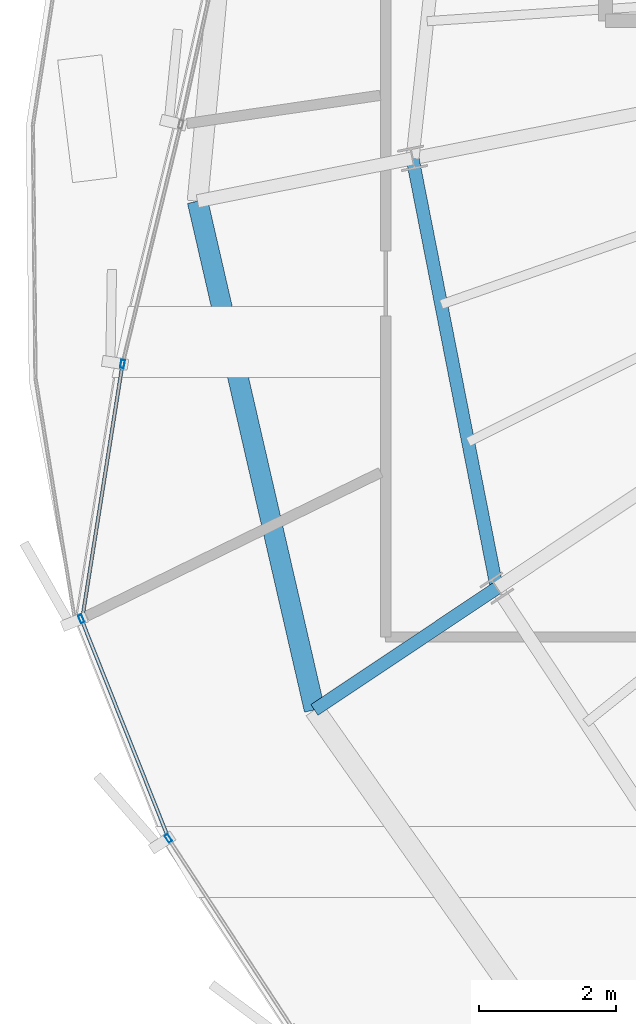
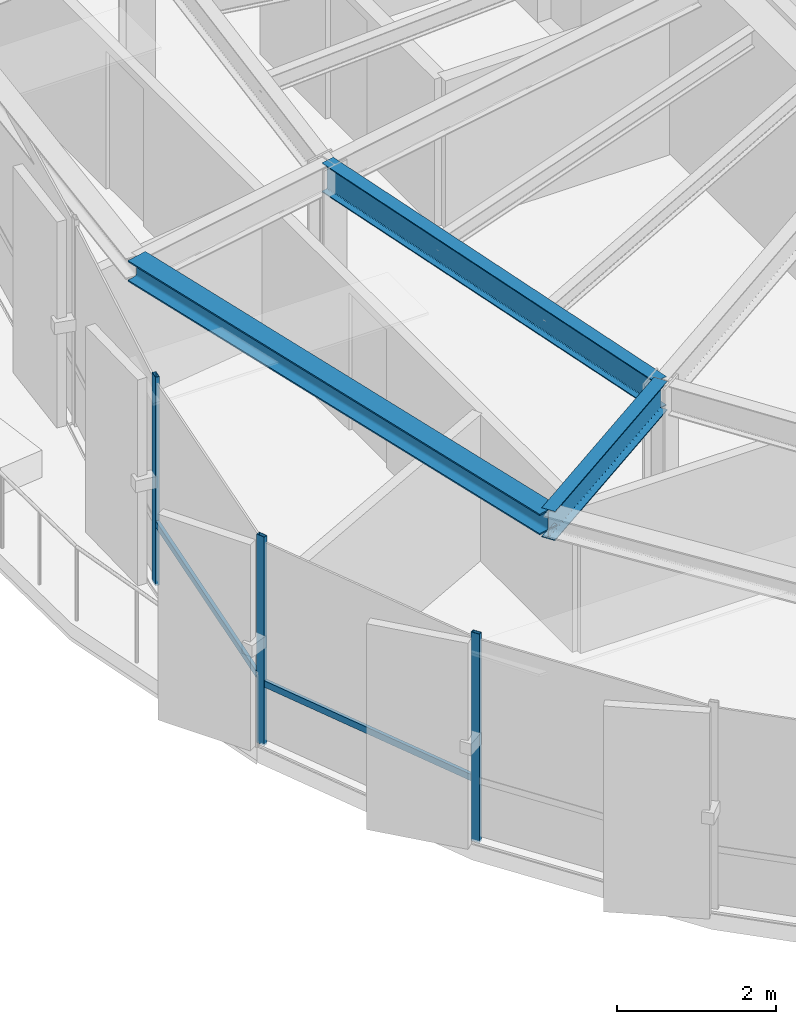
# One storey, part 4 of 36: 5 members, 3 beams, 1 element without a shape of its own.
"""IFC4 building model written with IfcOpenShell, lengths in metres."""

from ifc_helpers import new_model, si_unit, direction, frame, origin, origin_2d, place, context, subcontext, project, spatial, hollow_rectangle, i_section, extrude, source, transform, mapped, material, layer, layer_set, material_profile, profile_set, type_object, element, aggregate, save


model = new_model("IFC4")

# Units and contexts
model_context = context("Model", 3, precision=1e-05, world=origin(), true_north=direction((0.0, 1.0)))
body_context = subcontext(model_context, "Body", "Model", "MODEL_VIEW")
ifc_project = project(units=[si_unit("LENGTHUNIT", "METRE"), si_unit("AREAUNIT", "SQUARE_METRE"), si_unit("VOLUMEUNIT", "CUBIC_METRE"), si_unit("PLANEANGLEUNIT", "RADIAN"), si_unit("MASSUNIT", "GRAM", prefix="KILO"), si_unit("THERMODYNAMICTEMPERATUREUNIT", "KELVIN")], contexts=[model_context])

# Site, building, storey
site_placement = place(None, origin())
site = spatial("IfcSite", under=ifc_project, at=site_placement, CompositionType="ELEMENT")
building_placement = place(site_placement, origin())
building = spatial("IfcBuilding", under=site, at=building_placement, Name="Kethvar Cultural Tower", CompositionType="ELEMENT")
storey_placement = place(building_placement, frame((0.0, 0.0, 242.199951171875)))
storey = spatial("IfcBuildingStorey", under=building, at=storey_placement, Name="L63", CompositionType="ELEMENT", Elevation=242.199951171875)

# Beams
ifc_material_1 = material(Name="Steel S355J2", Category="steel")
ifc_material_profile_1 = material_profile(ifc_material_1, i_section(OverallWidth=0.18994140625, OverallDepth=0.449951171875, WebThickness=0.009521484375, FlangeThickness=0.0146484375, FilletRadius=0.02099609375, at=origin_2d()), Name="Steel S355J2 — IPE450")
ifc_profile_set_1 = profile_set([ifc_material_profile_1], Name="Steel S355J2 — IPE450")
beam_type_1 = type_object("IfcBeamType", Name="BM-IPE450", PredefinedType="BEAM", material=ifc_profile_set_1)
shared_shape_1 = source(origin(), body_context, "Body", "SweptSolid", [
    extrude(i_section(OverallWidth=0.18994140625, OverallDepth=0.449951171875, WebThickness=0.009521484375, FlangeThickness=0.0146484375, FilletRadius=0.02099609375, at=origin_2d()), origin(), (0.0, 0.0, 1.0), 3.199951171875),
])
beam_1_placement = place(storey_placement, frame((32.912841796875, 18.52099609375, 2.983154296875), z_axis=(-0.831462943996, -0.555580212716, 0.0), x_axis=(0.555580212716, -0.831462943996, 0.0)))
element("IfcBeam", 1, at=beam_1_placement, inside=storey, type_object=beam_type_1, Name="L63 Perimeter Cantilever Beam RC-10", PredefinedType="BEAM", context=body_context, shape_type="MappedRepresentation", body=[
    mapped(shared_shape_1, transform((0.0, 0.0, 0.0), scale=1.0)),
])
shared_shape_2 = source(origin(), body_context, "Body", "SweptSolid", [
    extrude(i_section(OverallWidth=0.18994140625, OverallDepth=0.449951171875, WebThickness=0.009521484375, FlangeThickness=0.0146484375, FilletRadius=0.02099609375, at=origin_2d()), origin(), (0.0, 0.0, 1.0), 6.391357421875),
])
beam_2_placement = place(storey_placement, frame((31.68310546875, 24.79296875, 2.983154296875), z_axis=(0.192405084368, -0.981315588131, 0.0), x_axis=(0.981315588131, 0.192405084368, 0.0)))
element("IfcBeam", 2, at=beam_2_placement, inside=storey, type_object=beam_type_1, Name="L63 Column Ring Tie Beam CR-09", PredefinedType="BEAM", context=body_context, shape_type="MappedRepresentation", body=[
    mapped(shared_shape_2, transform((0.0, 0.0, 0.0), scale=1.0)),
])
ifc_material_profile_2 = material_profile(ifc_material_1, i_section(OverallWidth=0.300048828125, OverallDepth=0.320068359375, WebThickness=0.011474609375, FlangeThickness=0.0205078125, FilletRadius=0.027099609375, at=origin_2d()), Name="Steel S355J2 — HEB320")
ifc_profile_set_2 = profile_set([ifc_material_profile_2], Name="Steel S355J2 — HEB320")
beam_type_2 = type_object("IfcBeamType", Name="BM-SP320", PredefinedType="SPANDREL", material=ifc_profile_set_2)
shared_shape_3 = source(origin(), body_context, "Body", "SweptSolid", [
    extrude(i_section(OverallWidth=0.300048828125, OverallDepth=0.320068359375, WebThickness=0.011474609375, FlangeThickness=0.0205078125, FilletRadius=0.027099609375, at=origin_2d()), origin(), (0.0, 0.0, 1.0), 7.619384765625),
])
beam_3_placement = place(storey_placement, frame((28.54443359375, 24.168701171875, 3.048095703125), z_axis=(0.224133998424, -0.974558336248, 0.0), x_axis=(0.974558336248, 0.224133998424, 0.0)))
element("IfcBeam", 3, at=beam_3_placement, inside=storey, type_object=beam_type_2, Name="L63 Perimeter Spandrel Beam SP-09", PredefinedType="SPANDREL", context=body_context, shape_type="MappedRepresentation", body=[
    mapped(shared_shape_3, transform((0.0, 0.0, 0.0), scale=1.0)),
])

# Curtain wall, members
ifc_material_2 = material(Name="Aluminium 6063-T6", Category="aluminium")
ifc_layer = layer(ifc_material_2, 0.179931640625, Name="Aluminium 6063-T6", Category="aluminium")
ifc_layer_set = layer_set([ifc_layer], Name="Aluminium 6063-T6 (180 mm)")
curtain_wall_type = type_object("IfcCurtainWallType", Name="CW-SYS-05-Z56", PredefinedType="NOTDEFINED", material=ifc_layer_set)
curtain_wall_placement = place(storey_placement, origin())
curtain_wall = element("IfcCurtainWall", 4, at=curtain_wall_placement, inside=storey, type_object=curtain_wall_type, Name="L63 Curtain Wall Run 03", PredefinedType="NOTDEFINED")
ifc_material_profile_3 = material_profile(ifc_material_2, hollow_rectangle(XDim=0.054931640625, YDim=0.1201171875, WallThickness=0.00390625, at=origin_2d()), Name="Aluminium 6063-T6 — RHS120x55x4")
ifc_profile_set_3 = profile_set([ifc_material_profile_3], Name="Aluminium 6063-T6 — RHS120x55x4")
member_type_1 = type_object("IfcMemberType", Name="CW-SYS-05-Z56-MUL", PredefinedType="MULLION", material=ifc_profile_set_3)
shared_shape_4 = source(origin(), body_context, "Body", "SweptSolid", [
    extrude(hollow_rectangle(XDim=0.054931640625, YDim=0.1201171875, WallThickness=0.00390625, at=origin_2d()), origin(), (0.0, 0.0, 1.0), 3.2099609375),
])
member_1_placement = place(storey_placement, frame((27.4501953125, 21.792236328125, 0.0), z_axis=(0.0, 0.0, 1.0), x_axis=(0.987734712159, -0.156141405129, 0.0)))
member_1 = element("IfcMember", 5, at=member_1_placement, type_object=member_type_1, Name="CW-L63-R03 Mullion 3", PredefinedType="MULLION", context=body_context, shape_type="MappedRepresentation", body=[
    mapped(shared_shape_4, transform((0.0, 0.0, 0.0), scale=1.0)),
])
member_2_placement = place(storey_placement, frame((26.847900390625, 18.072509765625, 0.0), z_axis=(0.0, 0.0, 1.0), x_axis=(0.929338932158, 0.369227774112, 0.0)))
member_2 = element("IfcMember", 6, at=member_2_placement, type_object=member_type_1, Name="CW-L63-R03 Mullion 4", PredefinedType="MULLION", context=body_context, shape_type="MappedRepresentation", body=[
    mapped(shared_shape_4, transform((0.0, 0.0, 0.0), scale=1.0)),
])
member_3_placement = place(storey_placement, frame((28.118896484375, 14.8681640625, 0.0), z_axis=(0.0, 0.0, 1.0), x_axis=(0.836764313459, 0.547563223493, 0.0)))
member_3 = element("IfcMember", 7, at=member_3_placement, type_object=member_type_1, Name="CW-L63-R03 Mullion 5", PredefinedType="MULLION", context=body_context, shape_type="MappedRepresentation", body=[
    mapped(shared_shape_4, transform((0.0, 0.0, 0.0), scale=1.0)),
])
ifc_material_profile_4 = material_profile(ifc_material_2, hollow_rectangle(XDim=0.050048828125, YDim=0.10009765625, WallThickness=0.00390625, at=origin_2d()), Name="Aluminium 6063-T6 — RHS100x50x4")
ifc_profile_set_4 = profile_set([ifc_material_profile_4], Name="Aluminium 6063-T6 — RHS100x50x4")
member_type_2 = type_object("IfcMemberType", Name="CW-SYS-05-Z56-TRN", PredefinedType="USERDEFINED", material=ifc_profile_set_4)
shared_shape_5 = source(origin(), body_context, "Body", "SweptSolid", [
    extrude(hollow_rectangle(XDim=0.050048828125, YDim=0.10009765625, WallThickness=0.00390625, at=origin_2d()), origin(), (0.0, 0.0, 1.0), 3.739990234375),
])
member_4_placement = place(storey_placement, frame((27.44384765625, 21.753173828125, 0.949951171875), z_axis=(-0.156083251143, -0.987743903404, 0.0), x_axis=(0.987743903404, -0.156083251143, 0.0)))
member_4 = element("IfcMember", 8, at=member_4_placement, type_object=member_type_2, Name="CW-L63-R03 Transom 3", ObjectType="TRANSOM", PredefinedType="USERDEFINED", context=body_context, shape_type="MappedRepresentation", body=[
    mapped(shared_shape_5, transform((0.0, 0.0, 0.0), scale=1.0)),
])
shared_shape_6 = source(origin(), body_context, "Body", "SweptSolid", [
    extrude(hollow_rectangle(XDim=0.050048828125, YDim=0.10009765625, WallThickness=0.00390625, at=origin_2d()), origin(), (0.0, 0.0, 1.0), 3.38818359375),
])
member_5_placement = place(storey_placement, frame((26.862548828125, 18.03564453125, 0.949951171875), z_axis=(0.369227913782, -0.929338876667, 0.0), x_axis=(0.929338876667, 0.369227913782, 0.0)))
member_5 = element("IfcMember", 9, at=member_5_placement, type_object=member_type_2, Name="CW-L63-R03 Transom 4", ObjectType="TRANSOM", PredefinedType="USERDEFINED", context=body_context, shape_type="MappedRepresentation", body=[
    mapped(shared_shape_6, transform((0.0, 0.0, 0.0), scale=1.0)),
])
aggregate(curtain_wall, [member_1, member_2, member_3, member_4, member_5])

save(model, "model.ifc")
